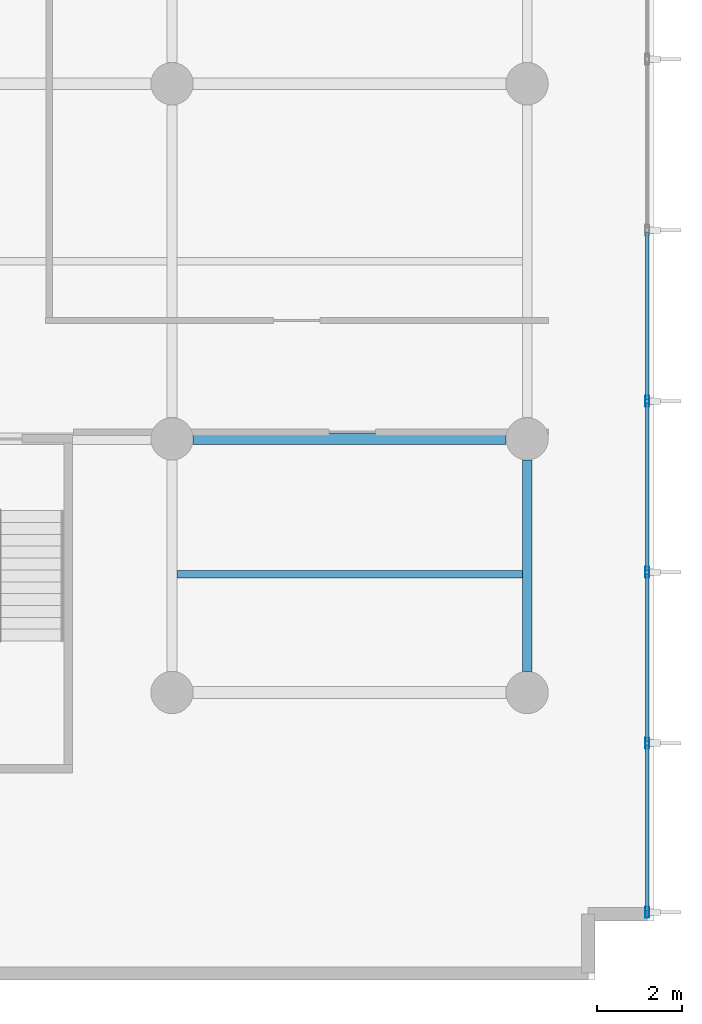
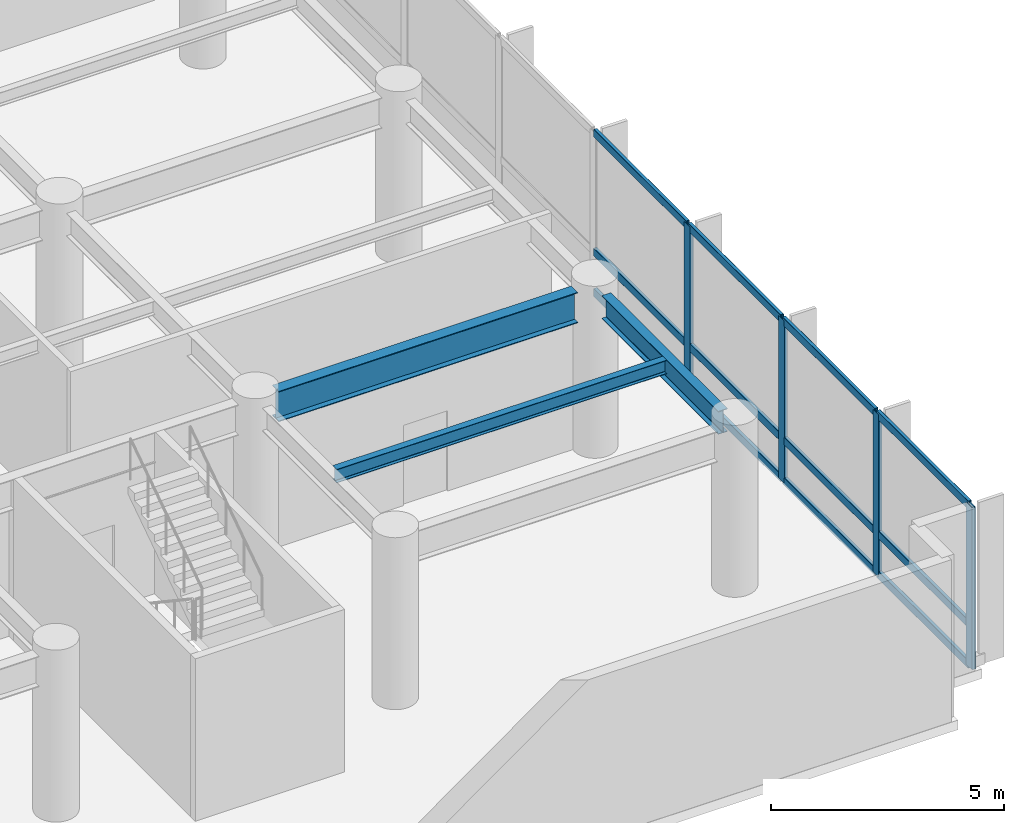
# One storey, part 7 of 26: 16 members, 3 beams, 1 element without a shape of its own.
"""IFC4 building model written with IfcOpenShell, lengths in metres."""

from ifc_helpers import new_model, si_unit, direction, frame, origin, origin_2d, place, context, subcontext, project, spatial, hollow_rectangle, i_section, extrude, material, layer, layer_set, material_profile, profile_set, type_object, element, aggregate, save


model = new_model("IFC4")

# Units and contexts
model_context = context("Model", 3, precision=1e-05, world=origin(), true_north=direction((0.0, 1.0)))
body_context = subcontext(model_context, "Body", "Model", "MODEL_VIEW")
ifc_project = project(units=[si_unit("LENGTHUNIT", "METRE"), si_unit("AREAUNIT", "SQUARE_METRE"), si_unit("VOLUMEUNIT", "CUBIC_METRE"), si_unit("PLANEANGLEUNIT", "RADIAN"), si_unit("MASSUNIT", "GRAM", prefix="KILO")], contexts=[model_context])

# Site, building, storey
site_placement = place(None, origin())
site = spatial("IfcSite", under=ifc_project, at=site_placement, CompositionType="ELEMENT")
building_placement = place(site_placement, origin())
building = spatial("IfcBuilding", under=site, at=building_placement, Name="Varnakote Quay Hospital", CompositionType="ELEMENT")
storey_placement = place(building_placement, frame((0.0, 0.0, 9.0)))
storey = spatial("IfcBuildingStorey", under=building, at=storey_placement, Name="L02", CompositionType="ELEMENT", Elevation=9.0)

# Beams
ifc_material_1 = material(Name="Structural steel AS/NZS 3679.1 Grade 350 L0 (fy 340 MPa)", Category="steel")
ifc_material_profile_1 = material_profile(ifc_material_1, i_section(OverallWidth=0.22802734375, OverallDepth=0.60205078125, WebThickness=0.010498046875, FlangeThickness=0.014892578125, FilletRadius=0.013916015625, at=origin_2d()), Name="610UB101")
ifc_profile_set_1 = profile_set([ifc_material_profile_1], Name="Structural steel AS/NZS 3679.1 Grade 350 L0 (fy 340 MPa)")
beam_type_1 = type_object("IfcBeamType", Name="BM-STL-610UB101", PredefinedType="BEAM", material=ifc_profile_set_1)
beam_1_placement = place(storey_placement, frame((84.0, 6.5, 3.948974609375), z_axis=(0.0, 1.0, 0.0), x_axis=(-1.0, 0.0, 0.0)))
element("IfcBeam", 1, at=beam_1_placement, inside=storey, type_object=beam_type_1, Name="L02 Primary Tie Beam", PredefinedType="BEAM", context=body_context, shape_type="SweptSolid", body=[
    extrude(i_section(OverallWidth=0.22802734375, OverallDepth=0.60205078125, WebThickness=0.010498046875, FlangeThickness=0.014892578125, FilletRadius=0.013916015625, at=origin_2d()), origin(), (0.0, 0.0, 1.0), 5.0),
])
ifc_material_2 = material(Name="Structural steel AS/NZS 3678 Grade 350 (fy 340 MPa)", Category="steel")
ifc_material_profile_2 = material_profile(ifc_material_2, i_section(OverallWidth=0.27490234375, OverallDepth=0.800048828125, WebThickness=0.010009765625, FlangeThickness=0.02001953125, at=origin_2d()), Name="800WB146")
ifc_profile_set_2 = profile_set([ifc_material_profile_2], Name="Structural steel AS/NZS 3678 Grade 350 (fy 340 MPa)")
beam_type_2 = type_object("IfcBeamType", Name="BM-STL-800WB146", PredefinedType="BEAM", material=ifc_profile_set_2)
beam_2_placement = place(storey_placement, frame((76.10009765625, 12.0, 3.85009765625), z_axis=(1.0, 0.0, 0.0), x_axis=(0.0, 1.0, 0.0)))
element("IfcBeam", 2, at=beam_2_placement, inside=storey, type_object=beam_type_2, Name="L02 Primary Floor Beam", PredefinedType="BEAM", context=body_context, shape_type="SweptSolid", body=[
    extrude(i_section(OverallWidth=0.27490234375, OverallDepth=0.800048828125, WebThickness=0.010009765625, FlangeThickness=0.02001953125, at=origin_2d()), origin(), (0.0, 0.0, 1.0), 7.39990234375),
])

# Curtain wall, members
ifc_material_3 = material(Name="Anodised aluminium 6063-T6 Bronze", Category="aluminium")
ifc_layer = layer(ifc_material_3, 0.175048828125)
ifc_layer_set = layer_set([ifc_layer], Name="Anodised aluminium 6063-T6 Bronze")
curtain_wall_type = type_object("IfcCurtainWallType", Name="CW-SYS-1", PredefinedType="NOTDEFINED", material=ifc_layer_set)
curtain_wall_placement = place(storey_placement, origin())
curtain_wall = element("IfcCurtainWall", 3, at=curtain_wall_placement, inside=storey, type_object=curtain_wall_type, Name="L02 Unitised Bronze Curtain Wall 1", PredefinedType="NOTDEFINED")
ifc_material_4 = material(Name="Anodised aluminium 6063-T6 Bronze", Category="aluminium")
ifc_material_profile_3 = material_profile(ifc_material_4, hollow_rectangle(XDim=0.0849609375, YDim=0.260009765625, WallThickness=0.0048828125, InnerFilletRadius=0.0048828125, OuterFilletRadius=0.010009765625, at=origin_2d()), Name="CW-MULL-260x85")
ifc_profile_set_3 = profile_set([ifc_material_profile_3], Name="Anodised aluminium 6063-T6 Bronze")
member_type_1 = type_object("IfcMemberType", Name="CW-MULL-260x85", PredefinedType="MULLION", material=ifc_profile_set_3)
member_1_placement = place(storey_placement, frame((86.840087890625, 0.802490234375, 0.0), z_axis=(0.0, 0.0, 1.0), x_axis=(-1.0, 0.0, 0.0)))
member_1 = element("IfcMember", 4, at=member_1_placement, type_object=member_type_1, Name="-1-L02-1 mullion 1", PredefinedType="MULLION", context=body_context, shape_type="SweptSolid", body=[
    extrude(hollow_rectangle(XDim=0.0849609375, YDim=0.260009765625, WallThickness=0.0048828125, InnerFilletRadius=0.0048828125, OuterFilletRadius=0.010009765625, at=origin_2d()), origin(), (0.0, 0.0, 1.0), 4.25),
])
member_2_placement = place(storey_placement, frame((86.840087890625, 4.8037109375, 0.0), z_axis=(0.0, 0.0, 1.0), x_axis=(-1.0, 0.0, 0.0)))
member_2 = element("IfcMember", 5, at=member_2_placement, type_object=member_type_1, Name="-1-L02-1 mullion 2", PredefinedType="MULLION", context=body_context, shape_type="SweptSolid", body=[
    extrude(hollow_rectangle(XDim=0.0849609375, YDim=0.260009765625, WallThickness=0.0048828125, InnerFilletRadius=0.0048828125, OuterFilletRadius=0.010009765625, at=origin_2d()), origin(), (0.0, 0.0, 1.0), 4.25),
])
member_3_placement = place(storey_placement, frame((86.840087890625, 8.84716796875, 0.0), z_axis=(0.0, 0.0, 1.0), x_axis=(-1.0, 0.0, 0.0)))
member_3 = element("IfcMember", 6, at=member_3_placement, type_object=member_type_1, Name="-1-L02-1 mullion 3", PredefinedType="MULLION", context=body_context, shape_type="SweptSolid", body=[
    extrude(hollow_rectangle(XDim=0.0849609375, YDim=0.260009765625, WallThickness=0.0048828125, InnerFilletRadius=0.0048828125, OuterFilletRadius=0.010009765625, at=origin_2d()), origin(), (0.0, 0.0, 1.0), 4.25),
])
member_4_placement = place(storey_placement, frame((86.840087890625, 12.890869140625, 0.0), z_axis=(0.0, 0.0, 1.0), x_axis=(-1.0, 0.0, 0.0)))
member_4 = element("IfcMember", 7, at=member_4_placement, type_object=member_type_1, Name="-1-L02-1 mullion 4", PredefinedType="MULLION", context=body_context, shape_type="SweptSolid", body=[
    extrude(hollow_rectangle(XDim=0.0849609375, YDim=0.260009765625, WallThickness=0.0048828125, InnerFilletRadius=0.0048828125, OuterFilletRadius=0.010009765625, at=origin_2d()), origin(), (0.0, 0.0, 1.0), 4.25),
])
ifc_material_5 = material(Name="Anodised aluminium 6063-T6 Bronze", Category="aluminium")
ifc_material_profile_4 = material_profile(ifc_material_5, hollow_rectangle(XDim=0.0849609375, YDim=0.2099609375, WallThickness=0.00439453125, InnerFilletRadius=0.00439453125, OuterFilletRadius=0.009033203125, at=origin_2d()), Name="CW-TRAN-210x85")
ifc_profile_set_4 = profile_set([ifc_material_profile_4], Name="Anodised aluminium 6063-T6 Bronze")
member_type_2 = type_object("IfcMemberType", Name="CW-TRAN-210x85", PredefinedType="USERDEFINED", material=ifc_profile_set_4)
member_5_placement = place(storey_placement, frame((86.840087890625, 0.844970703125, 0.04248046875), z_axis=(0.0, 1.0, 0.0), x_axis=(-1.0, 0.0, 0.0)))
member_5 = element("IfcMember", 8, at=member_5_placement, type_object=member_type_2, Name="-1-L02-1 transom 1.1", ObjectType="TRANSOM", PredefinedType="USERDEFINED", context=body_context, shape_type="SweptSolid", body=[
    extrude(hollow_rectangle(XDim=0.0849609375, YDim=0.2099609375, WallThickness=0.00439453125, InnerFilletRadius=0.00439453125, OuterFilletRadius=0.009033203125, at=origin_2d()), origin(), (0.0, 0.0, 1.0), 3.916259765625),
])
member_6_placement = place(storey_placement, frame((86.840087890625, 0.844970703125, 1.10009765625), z_axis=(0.0, 1.0, 0.0), x_axis=(-1.0, 0.0, 0.0)))
member_6 = element("IfcMember", 9, at=member_6_placement, type_object=member_type_2, Name="-1-L02-1 transom 1.2", ObjectType="TRANSOM", PredefinedType="USERDEFINED", context=body_context, shape_type="SweptSolid", body=[
    extrude(hollow_rectangle(XDim=0.0849609375, YDim=0.2099609375, WallThickness=0.00439453125, InnerFilletRadius=0.00439453125, OuterFilletRadius=0.009033203125, at=origin_2d()), origin(), (0.0, 0.0, 1.0), 3.916259765625),
])
member_7_placement = place(storey_placement, frame((86.840087890625, 0.844970703125, 4.20751953125), z_axis=(0.0, 1.0, 0.0), x_axis=(-1.0, 0.0, 0.0)))
member_7 = element("IfcMember", 10, at=member_7_placement, type_object=member_type_2, Name="-1-L02-1 transom 1.3", ObjectType="TRANSOM", PredefinedType="USERDEFINED", context=body_context, shape_type="SweptSolid", body=[
    extrude(hollow_rectangle(XDim=0.0849609375, YDim=0.2099609375, WallThickness=0.00439453125, InnerFilletRadius=0.00439453125, OuterFilletRadius=0.009033203125, at=origin_2d()), origin(), (0.0, 0.0, 1.0), 3.916259765625),
])
member_8_placement = place(storey_placement, frame((86.840087890625, 4.84619140625, 0.04248046875), z_axis=(0.0, 1.0, 0.0), x_axis=(-1.0, 0.0, 0.0)))
member_8 = element("IfcMember", 11, at=member_8_placement, type_object=member_type_2, Name="-1-L02-1 transom 2.1", ObjectType="TRANSOM", PredefinedType="USERDEFINED", context=body_context, shape_type="SweptSolid", body=[
    extrude(hollow_rectangle(XDim=0.0849609375, YDim=0.2099609375, WallThickness=0.00439453125, InnerFilletRadius=0.00439453125, OuterFilletRadius=0.009033203125, at=origin_2d()), origin(), (0.0, 0.0, 1.0), 3.95849609375),
])
member_9_placement = place(storey_placement, frame((86.840087890625, 4.84619140625, 1.10009765625), z_axis=(0.0, 1.0, 0.0), x_axis=(-1.0, 0.0, 0.0)))
member_9 = element("IfcMember", 12, at=member_9_placement, type_object=member_type_2, Name="-1-L02-1 transom 2.2", ObjectType="TRANSOM", PredefinedType="USERDEFINED", context=body_context, shape_type="SweptSolid", body=[
    extrude(hollow_rectangle(XDim=0.0849609375, YDim=0.2099609375, WallThickness=0.00439453125, InnerFilletRadius=0.00439453125, OuterFilletRadius=0.009033203125, at=origin_2d()), origin(), (0.0, 0.0, 1.0), 3.95849609375),
])
member_10_placement = place(storey_placement, frame((86.840087890625, 4.84619140625, 4.20751953125), z_axis=(0.0, 1.0, 0.0), x_axis=(-1.0, 0.0, 0.0)))
member_10 = element("IfcMember", 13, at=member_10_placement, type_object=member_type_2, Name="-1-L02-1 transom 2.3", ObjectType="TRANSOM", PredefinedType="USERDEFINED", context=body_context, shape_type="SweptSolid", body=[
    extrude(hollow_rectangle(XDim=0.0849609375, YDim=0.2099609375, WallThickness=0.00439453125, InnerFilletRadius=0.00439453125, OuterFilletRadius=0.009033203125, at=origin_2d()), origin(), (0.0, 0.0, 1.0), 3.95849609375),
])
member_11_placement = place(storey_placement, frame((86.840087890625, 8.889892578125, 0.04248046875), z_axis=(0.0, 1.0, 0.0), x_axis=(-1.0, 0.0, 0.0)))
member_11 = element("IfcMember", 14, at=member_11_placement, type_object=member_type_2, Name="-1-L02-1 transom 3.1", ObjectType="TRANSOM", PredefinedType="USERDEFINED", context=body_context, shape_type="SweptSolid", body=[
    extrude(hollow_rectangle(XDim=0.0849609375, YDim=0.2099609375, WallThickness=0.00439453125, InnerFilletRadius=0.00439453125, OuterFilletRadius=0.009033203125, at=origin_2d()), origin(), (0.0, 0.0, 1.0), 3.95849609375),
])
member_12_placement = place(storey_placement, frame((86.840087890625, 8.889892578125, 1.10009765625), z_axis=(0.0, 1.0, 0.0), x_axis=(-1.0, 0.0, 0.0)))
member_12 = element("IfcMember", 15, at=member_12_placement, type_object=member_type_2, Name="-1-L02-1 transom 3.2", ObjectType="TRANSOM", PredefinedType="USERDEFINED", context=body_context, shape_type="SweptSolid", body=[
    extrude(hollow_rectangle(XDim=0.0849609375, YDim=0.2099609375, WallThickness=0.00439453125, InnerFilletRadius=0.00439453125, OuterFilletRadius=0.009033203125, at=origin_2d()), origin(), (0.0, 0.0, 1.0), 3.95849609375),
])
member_13_placement = place(storey_placement, frame((86.840087890625, 8.889892578125, 4.20751953125), z_axis=(0.0, 1.0, 0.0), x_axis=(-1.0, 0.0, 0.0)))
member_13 = element("IfcMember", 16, at=member_13_placement, type_object=member_type_2, Name="-1-L02-1 transom 3.3", ObjectType="TRANSOM", PredefinedType="USERDEFINED", context=body_context, shape_type="SweptSolid", body=[
    extrude(hollow_rectangle(XDim=0.0849609375, YDim=0.2099609375, WallThickness=0.00439453125, InnerFilletRadius=0.00439453125, OuterFilletRadius=0.009033203125, at=origin_2d()), origin(), (0.0, 0.0, 1.0), 3.95849609375),
])
member_14_placement = place(storey_placement, frame((86.840087890625, 12.933349609375, 0.04248046875), z_axis=(0.0, 1.0, 0.0), x_axis=(-1.0, 0.0, 0.0)))
member_14 = element("IfcMember", 17, at=member_14_placement, type_object=member_type_2, Name="-1-L02-1 transom 4.1", ObjectType="TRANSOM", PredefinedType="USERDEFINED", context=body_context, shape_type="SweptSolid", body=[
    extrude(hollow_rectangle(XDim=0.0849609375, YDim=0.2099609375, WallThickness=0.00439453125, InnerFilletRadius=0.00439453125, OuterFilletRadius=0.009033203125, at=origin_2d()), origin(), (0.0, 0.0, 1.0), 3.958740234375),
])
member_15_placement = place(storey_placement, frame((86.840087890625, 12.933349609375, 1.10009765625), z_axis=(0.0, 1.0, 0.0), x_axis=(-1.0, 0.0, 0.0)))
member_15 = element("IfcMember", 18, at=member_15_placement, type_object=member_type_2, Name="-1-L02-1 transom 4.2", ObjectType="TRANSOM", PredefinedType="USERDEFINED", context=body_context, shape_type="SweptSolid", body=[
    extrude(hollow_rectangle(XDim=0.0849609375, YDim=0.2099609375, WallThickness=0.00439453125, InnerFilletRadius=0.00439453125, OuterFilletRadius=0.009033203125, at=origin_2d()), origin(), (0.0, 0.0, 1.0), 3.958740234375),
])
member_16_placement = place(storey_placement, frame((86.840087890625, 12.933349609375, 4.20751953125), z_axis=(0.0, 1.0, 0.0), x_axis=(-1.0, 0.0, 0.0)))
member_16 = element("IfcMember", 19, at=member_16_placement, type_object=member_type_2, Name="-1-L02-1 transom 4.3", ObjectType="TRANSOM", PredefinedType="USERDEFINED", context=body_context, shape_type="SweptSolid", body=[
    extrude(hollow_rectangle(XDim=0.0849609375, YDim=0.2099609375, WallThickness=0.00439453125, InnerFilletRadius=0.00439453125, OuterFilletRadius=0.009033203125, at=origin_2d()), origin(), (0.0, 0.0, 1.0), 3.958740234375),
])
aggregate(curtain_wall, [member_1, member_2, member_3, member_4, member_5, member_6, member_7, member_8, member_9, member_10, member_11, member_12, member_13, member_14, member_15, member_16])

# Beam
ifc_material_6 = material(Name="Structural steel AS/NZS 3679.1 Grade 350 L0 (fy 340 MPa)", Category="steel")
ifc_material_profile_5 = material_profile(ifc_material_6, i_section(OverallWidth=0.1708984375, OverallDepth=0.35595703125, WebThickness=0.00732421875, FlangeThickness=0.011474609375, FilletRadius=0.011474609375, at=origin_2d()), Name="360UB50.7")
ifc_profile_set_5 = profile_set([ifc_material_profile_5], Name="Structural steel AS/NZS 3679.1 Grade 350 L0 (fy 340 MPa)")
beam_type_3 = type_object("IfcBeamType", Name="JST-STL-360UB50-7", PredefinedType="JOIST", material=ifc_profile_set_5)
beam_3_placement = place(storey_placement, frame((75.714111328125, 8.800048828125, 4.072021484375), z_axis=(1.0, 0.0, 0.0), x_axis=(0.0, 1.0, 0.0)))
element("IfcBeam", 20, at=beam_3_placement, inside=storey, type_object=beam_type_3, Name="L02 Composite Floor Joist", PredefinedType="JOIST", context=body_context, shape_type="SweptSolid", body=[
    extrude(i_section(OverallWidth=0.1708984375, OverallDepth=0.35595703125, WebThickness=0.00732421875, FlangeThickness=0.011474609375, FilletRadius=0.011474609375, at=origin_2d()), origin(), (0.0, 0.0, 1.0), 8.171875),
])

save(model, "model.ifc")
